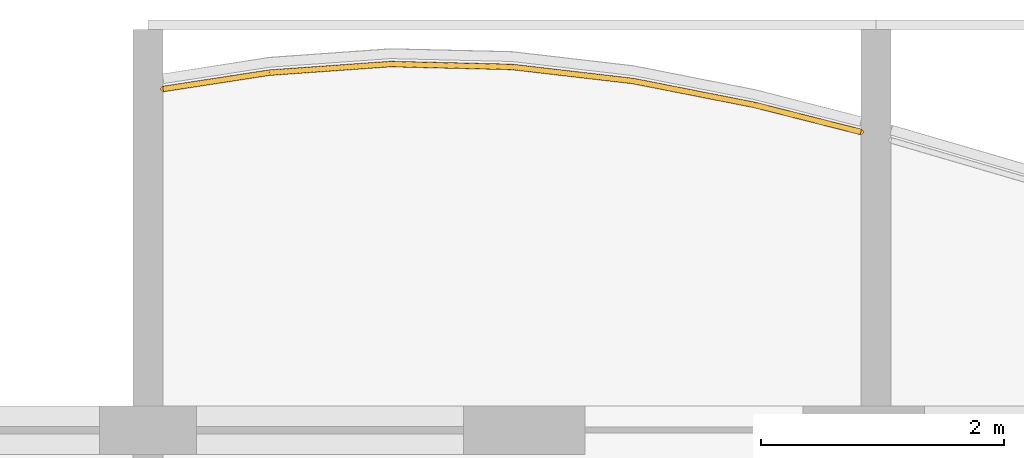
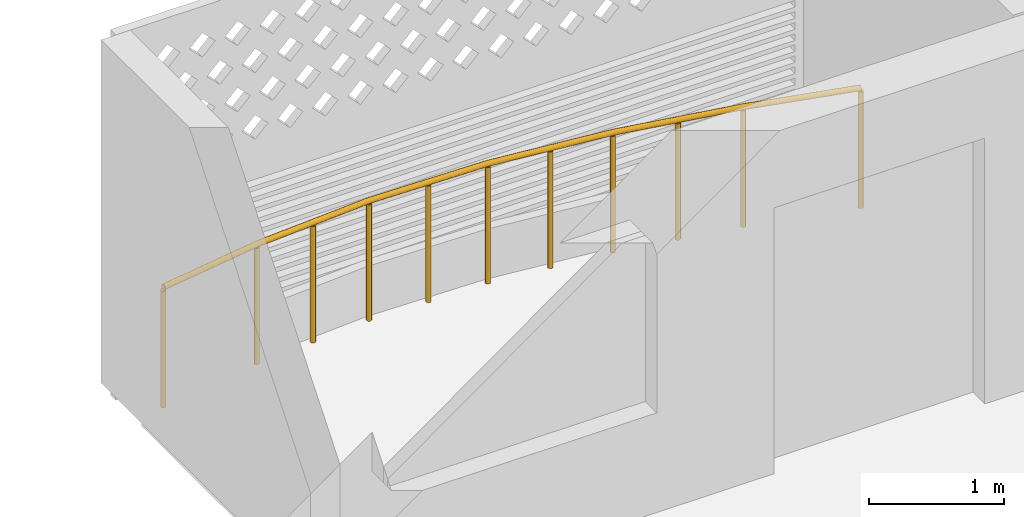
# One storey, part 24 of 27: 1 railing.
"""IFC4 building model written with IfcOpenShell, lengths in metres."""

import ifcopenshell
import ifcopenshell.guid

model = None  # the IFC model being written
_history = None  # IfcOwnerHistory: only IFC2X3 demands one
_inside = {}  # id of a spatial element -> (the spatial element, [elements in it])
_under = {}  # id of a project, library or spatial element -> (it, [spatial elements below it])
_declared = {}  # id of a project -> (the project, [libraries it declares])
_typed = {}  # id of a type object -> (the type object, [elements of that type])
_made_of = {}  # id of a material, layer set ... -> (it, [elements and type objects made of it])


def new_model(schema):
    """Start an empty IFC model of exactly this schema.

    Asked for "IFC4X3", IfcOpenShell would pick the latest addendum, in which some entities
    have other attributes; the version numbers below select the first issue.
    IFC2X3 requires an IfcOwnerHistory on every rooted entity: one is made here for all.
    """
    global model, _history
    if schema == "IFC4X3":
        model = ifcopenshell.file(schema_version=(4, 3, 0, 0))
    else:
        model = ifcopenshell.file(schema=schema)
    _inside.clear()
    _under.clear()
    _declared.clear()
    _typed.clear()
    _made_of.clear()
    _history = None
    if model.schema == "IFC2X3":
        org = make("IfcOrganization", Name="unknown")
        user = make(
            "IfcPersonAndOrganization",
            ThePerson=make("IfcPerson", FamilyName="unknown"),
            TheOrganization=org,
        )
        app = make(
            "IfcApplication",
            ApplicationDeveloper=org,
            Version="unknown",
            ApplicationFullName="unknown",
            ApplicationIdentifier="unknown",
        )
        _history = make(
            "IfcOwnerHistory",
            OwningUser=user,
            OwningApplication=app,
            ChangeAction="ADDED",
            CreationDate=0,
        )
    return model


def make(cls, **values):
    """One entity of the class cls with the attributes given. An attribute that is None is left unset."""
    return model.create_entity(
        cls, **{name: value for name, value in values.items() if value is not None}
    )


def rooted(cls, **values):
    """An entity with a GlobalId (a new one), such as an element, a storey or a relation."""
    return make(cls, GlobalId=ifcopenshell.guid.new(), OwnerHistory=_history, **values)


def si_unit(unit_type, name, prefix=None):
    """IfcSIUnit, for example si_unit("LENGTHUNIT", "METRE", prefix="MILLI")."""
    return make("IfcSIUnit", UnitType=unit_type, Prefix=prefix, Name=name)


def assignment(units):
    """IfcUnitAssignment: the units of a project."""
    return None if units is None else make("IfcUnitAssignment", Units=units)


def point(xyz):
    """IfcCartesianPoint."""
    return None if xyz is None else make("IfcCartesianPoint", Coordinates=xyz)


def direction(xyz):
    """IfcDirection."""
    return None if xyz is None else make("IfcDirection", DirectionRatios=xyz)


def frame(location, z_axis=None, x_axis=None):
    """IfcAxis2Placement3D, a coordinate frame: its origin and axes. An axis left out is left unset."""
    return make(
        "IfcAxis2Placement3D",
        Location=point(location),
        Axis=direction(z_axis),
        RefDirection=direction(x_axis),
    )


def frame_2d(location, x_axis=None):
    """IfcAxis2Placement2D, a coordinate frame in the plane: its origin and x axis."""
    return make(
        "IfcAxis2Placement2D", Location=point(location), RefDirection=direction(x_axis)
    )


def origin():
    """The frame at (0, 0, 0) with its axes left unset."""
    return frame((0.0, 0.0, 0.0))


def origin_2d():
    """The frame at (0, 0) in the plane with its x axis left unset."""
    return frame_2d((0.0, 0.0))


def place(relative_to, where):
    """IfcLocalPlacement: puts the frame where relative to a parent placement (None: the world)."""
    return make(
        "IfcLocalPlacement", PlacementRelTo=relative_to, RelativePlacement=where
    )


def context(
    kind, dimensions, precision=None, world=None, true_north=None, identifier=None
):
    """IfcGeometricRepresentationContext, for example the 3D "Model" context."""
    return make(
        "IfcGeometricRepresentationContext",
        ContextIdentifier=identifier,
        ContextType=kind,
        CoordinateSpaceDimension=dimensions,
        Precision=precision,
        WorldCoordinateSystem=world,
        TrueNorth=true_north,
    )


def subcontext(parent, identifier, kind, view, scale=None):
    """IfcGeometricRepresentationSubContext, for example "Body" below "Model"."""
    return make(
        "IfcGeometricRepresentationSubContext",
        ContextIdentifier=identifier,
        ContextType=kind,
        ParentContext=parent,
        TargetScale=scale,
        TargetView=view,
    )


def project(units=None, contexts=None):
    """IfcProject with its units and contexts."""
    return rooted(
        "IfcProject",
        Name="project",
        RepresentationContexts=contexts,
        UnitsInContext=assignment(units),
    )


def spatial(cls, under=None, at=None, **own):
    """A site, building, storey or space (cls), placed at a placement, below another one or the project."""
    s = rooted(cls, ObjectPlacement=at, **own)
    if under is not None:
        _under.setdefault(under.id(), (under, []))[1].append(s)
    return s


def profile(cls, at=None, kind="AREA", **sizes):
    """A parametric profile (cls). Its sizes go by their IFC names, for example OverallWidth=200.0."""
    return make(cls, ProfileType=kind, Position=at, **sizes)


def circle(**sizes):
    """IfcCircleProfileDef."""
    return profile("IfcCircleProfileDef", **sizes)


def extrude(swept, where, along, depth):
    """IfcExtrudedAreaSolid: the profile swept, set in the frame where, extruded along a direction by depth."""
    return make(
        "IfcExtrudedAreaSolid",
        SweptArea=swept,
        Position=where,
        ExtrudedDirection=direction(along),
        Depth=depth,
    )


def shape(context_of_items, identifier, shape_type, items):
    """IfcShapeRepresentation: the items that make up one representation, for example the "Body"."""
    return make(
        "IfcShapeRepresentation",
        ContextOfItems=context_of_items,
        RepresentationIdentifier=identifier,
        RepresentationType=shape_type,
        Items=items,
    )


def material(Name=None, Category=None):
    """IfcMaterial."""
    return make("IfcMaterial", Name=Name, Category=Category)


def made_of(thing, what):
    """Note that an element or type object is made of a material, layer set ...; save() writes the relation."""
    if what is not None:
        _made_of.setdefault(what.id(), (what, []))[1].append(thing)
    return thing


def type_object(cls, material=None, **own):
    """A type object (cls), such as IfcWallType, which elements share."""
    return made_of(rooted(cls, **own), material)


def element(
    cls,
    number,
    at=None,
    inside=None,
    cuts=None,
    type_object=None,
    material=None,
    context=None,
    identifier="Body",
    shape_type=None,
    held_by="IfcProductDefinitionShape",
    body=None,
    shapes=None,
    **own,
):
    """One element of the class cls, such as IfcWall. Its Tag is "e" and its number.

    at: its placement. inside: the storey or other place that contains it. cuts: it is an
    opening in that element (IfcRelVoidsElement). A single representation is given by context,
    identifier, shape_type and body (its items); several are given by shapes. held_by: the class
    of the entity that holds the representations. save() writes the other relations.
    """
    e = rooted(cls, Tag="e%d" % number, ObjectPlacement=at, **own)
    if body is not None:
        shapes = [shape(context, identifier, shape_type, body)]
    if shapes is not None:
        e.Representation = make(held_by, Representations=shapes)
    if inside is not None:
        _inside.setdefault(inside.id(), (inside, []))[1].append(e)
    if cuts is not None:
        rooted(
            "IfcRelVoidsElement", RelatingBuildingElement=cuts, RelatedOpeningElement=e
        )
    if type_object is not None:
        _typed.setdefault(type_object.id(), (type_object, []))[1].append(e)
    return made_of(e, material)


def aggregate(whole, parts):
    """IfcRelAggregates: a whole, such as a stair, and the parts it consists of."""
    return rooted("IfcRelAggregates", RelatingObject=whole, RelatedObjects=parts)


def save(model, path):
    """Write the relations noted so far, then the file.

    IfcRelAggregates (storeys below a building ...), IfcRelContainedInSpatialStructure (elements
    in a storey), IfcRelDefinesByType, IfcRelAssociatesMaterial and IfcRelDeclares: one each for
    every whole, place, type object, material and project.
    """
    for whole, parts in _under.values():
        aggregate(whole, parts)
    for where, things in _inside.values():
        rooted(
            "IfcRelContainedInSpatialStructure",
            RelatedElements=things,
            RelatingStructure=where,
        )
    for kind, things in _typed.values():
        rooted("IfcRelDefinesByType", RelatedObjects=things, RelatingType=kind)
    for what, things in _made_of.values():
        rooted("IfcRelAssociatesMaterial", RelatedObjects=things, RelatingMaterial=what)
    for by, libraries in _declared.values():
        rooted("IfcRelDeclares", RelatingContext=by, RelatedDefinitions=libraries)
    model.write(path)


model = new_model("IFC4")

# Units and contexts
model_context = context("Model", 3, precision=1e-05, world=origin(), true_north=direction((0.0, 1.0)))
body_context = subcontext(model_context, "Body", "Model", "MODEL_VIEW")
ifc_project = project(units=[si_unit("LENGTHUNIT", "METRE"), si_unit("AREAUNIT", "SQUARE_METRE"), si_unit("VOLUMEUNIT", "CUBIC_METRE"), si_unit("PLANEANGLEUNIT", "RADIAN"), si_unit("MASSUNIT", "GRAM", prefix="KILO")], contexts=[model_context])

# Site, building, storey
site_placement = place(None, origin())
site = spatial("IfcSite", under=ifc_project, at=site_placement, CompositionType="ELEMENT")
building_placement = place(site_placement, origin())
building = spatial("IfcBuilding", under=site, at=building_placement, Name="Poui Terraces", CompositionType="ELEMENT")
storey_placement = place(building_placement, frame((0.0, 0.0, 251.10009765625)))
storey = spatial("IfcBuildingStorey", under=building, at=storey_placement, Name="L70", CompositionType="ELEMENT", Elevation=251.10009765625)

# Railing
ifc_material = material(Name="Painted steel fretwork", Category="steel")
railing_type = type_object("IfcRailingType", Name="BALCONY GUARD 1100", PredefinedType="GUARDRAIL", material=ifc_material)
railing_placement = place(storey_placement, frame((66.125, 44.011474609375, 0.0)))
element("IfcRailing", 1, at=railing_placement, inside=storey, type_object=railing_type, Name="BALCONY GUARD", PredefinedType="GUARDRAIL", context=body_context, shape_type="SweptSolid", body=[
    extrude(circle(Radius=0.02392578125, at=origin_2d()), frame((0.0, 0.0, 1.076171875), z_axis=(0.988387633133, 0.151953567482, 0.0), x_axis=(-0.151953567482, 0.988387633133, 0.0)), (0.0, 0.0, 1.0), 0.88525390625),
    extrude(circle(Radius=0.02392578125, at=origin_2d()), frame((0.875, 0.134521484375, 1.076171875), z_axis=(0.997485823051, 0.07086630237, 0.0), x_axis=(-0.07086630237, 0.997485823051, 0.0)), (0.0, 0.0, 1.0), 1.00244140625),
    extrude(circle(Radius=0.02392578125, at=origin_2d()), frame((1.875, 0.20556640625, 1.076171875), z_axis=(0.999713901321, -0.023918936116, 0.0), x_axis=(0.023918936116, 0.999713901321, 0.0)), (0.0, 0.0, 1.0), 1.000244140625),
    extrude(circle(Radius=0.02392578125, at=origin_2d()), frame((2.875, 0.181640625, 1.076171875), z_axis=(0.993315142472, -0.11543408394, 0.0), x_axis=(0.11543408394, 0.993315142472, 0.0)), (0.0, 0.0, 1.0), 1.0068359375),
    extrude(circle(Radius=0.02392578125, at=origin_2d()), frame((3.875, 0.0654296875, 1.076171875), z_axis=(0.981138637459, -0.19330539073, 0.0), x_axis=(0.19330539073, 0.981138637459, 0.0)), (0.0, 0.0, 1.0), 1.019287109375),
    extrude(circle(Radius=0.02392578125, at=origin_2d()), frame((4.875, -0.131591796875, 1.076171875), z_axis=(0.969245105532, -0.246097390076, 0.0), x_axis=(0.246097390076, 0.969245105532, 0.0)), (0.0, 0.0, 1.0), 0.90283203125),
    extrude(circle(Radius=0.02099609375, at=origin_2d()), origin(), (0.0, 0.0, 1.0), 1.052001953125),
    extrude(circle(Radius=0.02099609375, at=origin_2d()), frame((0.875, 0.134521484375, 0.0)), (0.0, 0.0, 1.0), 1.052001953125),
    extrude(circle(Radius=0.02099609375, at=origin_2d()), frame((1.375, 0.169921875, 0.0)), (0.0, 0.0, 1.0), 1.052001953125),
    extrude(circle(Radius=0.02099609375, at=origin_2d()), frame((1.875, 0.20556640625, 0.0)), (0.0, 0.0, 1.0), 1.052001953125),
    extrude(circle(Radius=0.02099609375, at=origin_2d()), frame((2.375, 0.193603515625, 0.0)), (0.0, 0.0, 1.0), 1.052001953125),
    extrude(circle(Radius=0.02099609375, at=origin_2d()), frame((2.875, 0.181640625, 0.0)), (0.0, 0.0, 1.0), 1.052001953125),
    extrude(circle(Radius=0.02099609375, at=origin_2d()), frame((3.375, 0.12353515625, 0.0)), (0.0, 0.0, 1.0), 1.052001953125),
    extrude(circle(Radius=0.02099609375, at=origin_2d()), frame((3.875, 0.0654296875, 0.0)), (0.0, 0.0, 1.0), 1.052001953125),
    extrude(circle(Radius=0.02099609375, at=origin_2d()), frame((4.375, -0.033203125, 0.0)), (0.0, 0.0, 1.0), 1.052001953125),
    extrude(circle(Radius=0.02099609375, at=origin_2d()), frame((4.875, -0.131591796875, 0.0)), (0.0, 0.0, 1.0), 1.052001953125),
    extrude(circle(Radius=0.02099609375, at=origin_2d()), frame((5.75, -0.353759765625, 0.0)), (0.0, 0.0, 1.0), 1.052001953125),
])

save(model, "model.ifc")
